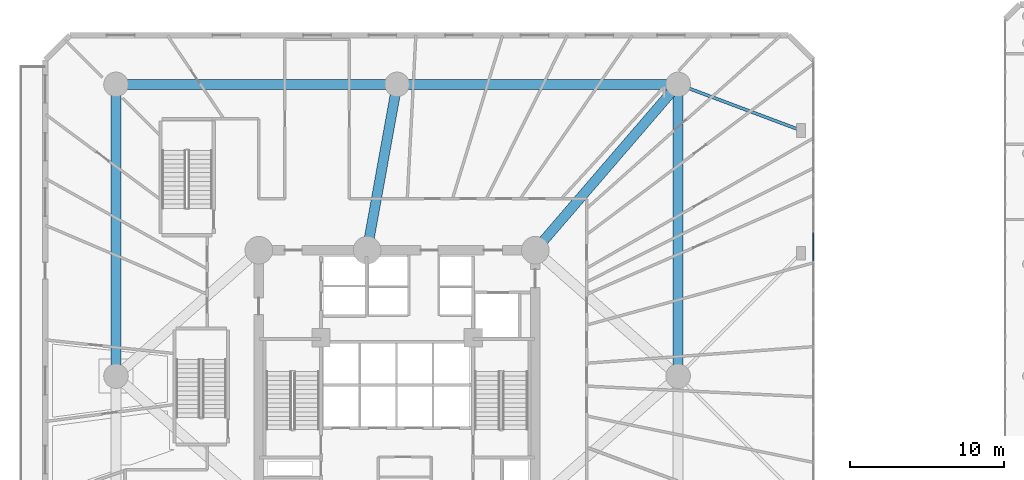
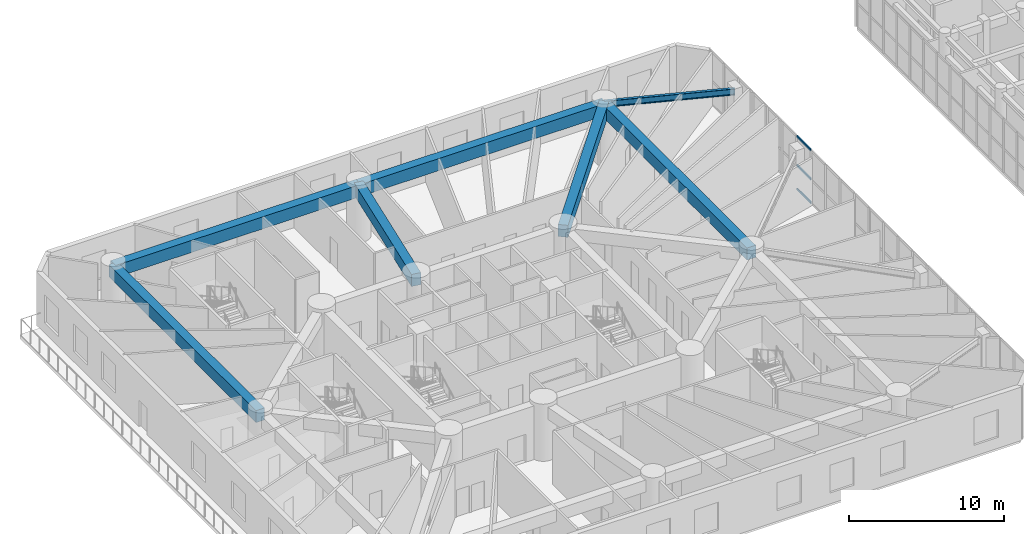
# One storey, part 3 of 24: 7 beams, 3 members, 1 element without a shape of its own.
"""IFC4 building model written with IfcOpenShell, lengths in metres."""

import ifcopenshell
import ifcopenshell.guid

model = None  # the IFC model being written
_history = None  # IfcOwnerHistory: only IFC2X3 demands one
_inside = {}  # id of a spatial element -> (the spatial element, [elements in it])
_under = {}  # id of a project, library or spatial element -> (it, [spatial elements below it])
_declared = {}  # id of a project -> (the project, [libraries it declares])
_typed = {}  # id of a type object -> (the type object, [elements of that type])
_made_of = {}  # id of a material, layer set ... -> (it, [elements and type objects made of it])


def new_model(schema):
    """Start an empty IFC model of exactly this schema.

    Asked for "IFC4X3", IfcOpenShell would pick the latest addendum, in which some entities
    have other attributes; the version numbers below select the first issue.
    IFC2X3 requires an IfcOwnerHistory on every rooted entity: one is made here for all.
    """
    global model, _history
    if schema == "IFC4X3":
        model = ifcopenshell.file(schema_version=(4, 3, 0, 0))
    else:
        model = ifcopenshell.file(schema=schema)
    _inside.clear()
    _under.clear()
    _declared.clear()
    _typed.clear()
    _made_of.clear()
    _history = None
    if model.schema == "IFC2X3":
        org = make("IfcOrganization", Name="unknown")
        user = make(
            "IfcPersonAndOrganization",
            ThePerson=make("IfcPerson", FamilyName="unknown"),
            TheOrganization=org,
        )
        app = make(
            "IfcApplication",
            ApplicationDeveloper=org,
            Version="unknown",
            ApplicationFullName="unknown",
            ApplicationIdentifier="unknown",
        )
        _history = make(
            "IfcOwnerHistory",
            OwningUser=user,
            OwningApplication=app,
            ChangeAction="ADDED",
            CreationDate=0,
        )
    return model


def make(cls, **values):
    """One entity of the class cls with the attributes given. An attribute that is None is left unset."""
    return model.create_entity(
        cls, **{name: value for name, value in values.items() if value is not None}
    )


def rooted(cls, **values):
    """An entity with a GlobalId (a new one), such as an element, a storey or a relation."""
    return make(cls, GlobalId=ifcopenshell.guid.new(), OwnerHistory=_history, **values)


def si_unit(unit_type, name, prefix=None):
    """IfcSIUnit, for example si_unit("LENGTHUNIT", "METRE", prefix="MILLI")."""
    return make("IfcSIUnit", UnitType=unit_type, Prefix=prefix, Name=name)


def assignment(units):
    """IfcUnitAssignment: the units of a project."""
    return None if units is None else make("IfcUnitAssignment", Units=units)


def point(xyz):
    """IfcCartesianPoint."""
    return None if xyz is None else make("IfcCartesianPoint", Coordinates=xyz)


def direction(xyz):
    """IfcDirection."""
    return None if xyz is None else make("IfcDirection", DirectionRatios=xyz)


def frame(location, z_axis=None, x_axis=None):
    """IfcAxis2Placement3D, a coordinate frame: its origin and axes. An axis left out is left unset."""
    return make(
        "IfcAxis2Placement3D",
        Location=point(location),
        Axis=direction(z_axis),
        RefDirection=direction(x_axis),
    )


def frame_2d(location, x_axis=None):
    """IfcAxis2Placement2D, a coordinate frame in the plane: its origin and x axis."""
    return make(
        "IfcAxis2Placement2D", Location=point(location), RefDirection=direction(x_axis)
    )


def origin():
    """The frame at (0, 0, 0) with its axes left unset."""
    return frame((0.0, 0.0, 0.0))


def origin_with_axes():
    """The frame at (0, 0, 0) with the z axis (0, 0, 1) and the x axis (1, 0, 0) written out."""
    return frame((0.0, 0.0, 0.0), z_axis=(0.0, 0.0, 1.0), x_axis=(1.0, 0.0, 0.0))


def origin_2d():
    """The frame at (0, 0) in the plane with its x axis left unset."""
    return frame_2d((0.0, 0.0))


def place(relative_to, where):
    """IfcLocalPlacement: puts the frame where relative to a parent placement (None: the world)."""
    return make(
        "IfcLocalPlacement", PlacementRelTo=relative_to, RelativePlacement=where
    )


def context(
    kind, dimensions, precision=None, world=None, true_north=None, identifier=None
):
    """IfcGeometricRepresentationContext, for example the 3D "Model" context."""
    return make(
        "IfcGeometricRepresentationContext",
        ContextIdentifier=identifier,
        ContextType=kind,
        CoordinateSpaceDimension=dimensions,
        Precision=precision,
        WorldCoordinateSystem=world,
        TrueNorth=true_north,
    )


def subcontext(parent, identifier, kind, view, scale=None):
    """IfcGeometricRepresentationSubContext, for example "Body" below "Model"."""
    return make(
        "IfcGeometricRepresentationSubContext",
        ContextIdentifier=identifier,
        ContextType=kind,
        ParentContext=parent,
        TargetScale=scale,
        TargetView=view,
    )


def project(units=None, contexts=None):
    """IfcProject with its units and contexts."""
    return rooted(
        "IfcProject",
        Name="project",
        RepresentationContexts=contexts,
        UnitsInContext=assignment(units),
    )


def spatial(cls, under=None, at=None, **own):
    """A site, building, storey or space (cls), placed at a placement, below another one or the project."""
    s = rooted(cls, ObjectPlacement=at, **own)
    if under is not None:
        _under.setdefault(under.id(), (under, []))[1].append(s)
    return s


def profile(cls, at=None, kind="AREA", **sizes):
    """A parametric profile (cls). Its sizes go by their IFC names, for example OverallWidth=200.0."""
    return make(cls, ProfileType=kind, Position=at, **sizes)


def rectangle(**sizes):
    """IfcRectangleProfileDef."""
    return profile("IfcRectangleProfileDef", **sizes)


def i_section(**sizes):
    """IfcIShapeProfileDef."""
    return profile("IfcIShapeProfileDef", **sizes)


def extrude(swept, where, along, depth):
    """IfcExtrudedAreaSolid: the profile swept, set in the frame where, extruded along a direction by depth."""
    return make(
        "IfcExtrudedAreaSolid",
        SweptArea=swept,
        Position=where,
        ExtrudedDirection=direction(along),
        Depth=depth,
    )


def shape(context_of_items, identifier, shape_type, items):
    """IfcShapeRepresentation: the items that make up one representation, for example the "Body"."""
    return make(
        "IfcShapeRepresentation",
        ContextOfItems=context_of_items,
        RepresentationIdentifier=identifier,
        RepresentationType=shape_type,
        Items=items,
    )


def source(mapping_origin, context_of_items, identifier, shape_type, items):
    """IfcRepresentationMap: a shape defined once, which mapped items show again and again."""
    return make(
        "IfcRepresentationMap",
        MappingOrigin=mapping_origin,
        MappedRepresentation=shape(context_of_items, identifier, shape_type, items),
    )


def transform(
    local_origin,
    x_axis=None,
    y_axis=None,
    z_axis=None,
    scale=None,
    scale2=None,
    scale3=None,
    uniform=True,
):
    """IfcCartesianTransformationOperator3D, or its non-uniform kind. x_axis, y_axis, z_axis: its Axis1, 2, 3."""
    if uniform:
        return make(
            "IfcCartesianTransformationOperator3D",
            Axis1=direction(x_axis),
            Axis2=direction(y_axis),
            LocalOrigin=point(local_origin),
            Scale=scale,
            Axis3=direction(z_axis),
        )
    return make(
        "IfcCartesianTransformationOperator3DnonUniform",
        Axis1=direction(x_axis),
        Axis2=direction(y_axis),
        LocalOrigin=point(local_origin),
        Scale=scale,
        Axis3=direction(z_axis),
        Scale2=scale2,
        Scale3=scale3,
    )


def mapped(mapping_source, mapping_target):
    """IfcMappedItem: shows the shape of a source again, moved by a transform."""
    return make(
        "IfcMappedItem", MappingSource=mapping_source, MappingTarget=mapping_target
    )


def material(Name=None, Category=None):
    """IfcMaterial."""
    return make("IfcMaterial", Name=Name, Category=Category)


def layer(
    of_material, thickness, ventilated=None, Name=None, Category=None, Priority=None
):
    """IfcMaterialLayer: one layer of a wall or slab, of a material (None: an air gap)."""
    return make(
        "IfcMaterialLayer",
        Material=of_material,
        LayerThickness=thickness,
        IsVentilated=ventilated,
        Name=Name,
        Category=Category,
        Priority=Priority,
    )


def layer_set(layers, Name=None):
    """IfcMaterialLayerSet."""
    return make("IfcMaterialLayerSet", MaterialLayers=layers, LayerSetName=Name)


def material_profile(
    of_material, cross_section, Name=None, Category=None, Priority=None
):
    """IfcMaterialProfile: a cross section and its material."""
    return make(
        "IfcMaterialProfile",
        Name=Name,
        Material=of_material,
        Profile=cross_section,
        Priority=Priority,
        Category=Category,
    )


def profile_set(profiles, Name=None, composite=None):
    """IfcMaterialProfileSet."""
    return make(
        "IfcMaterialProfileSet",
        Name=Name,
        MaterialProfiles=profiles,
        CompositeProfile=composite,
    )


def made_of(thing, what):
    """Note that an element or type object is made of a material, layer set ...; save() writes the relation."""
    if what is not None:
        _made_of.setdefault(what.id(), (what, []))[1].append(thing)
    return thing


def type_object(cls, material=None, **own):
    """A type object (cls), such as IfcWallType, which elements share."""
    return made_of(rooted(cls, **own), material)


def element(
    cls,
    number,
    at=None,
    inside=None,
    cuts=None,
    type_object=None,
    material=None,
    context=None,
    identifier="Body",
    shape_type=None,
    held_by="IfcProductDefinitionShape",
    body=None,
    shapes=None,
    **own,
):
    """One element of the class cls, such as IfcWall. Its Tag is "e" and its number.

    at: its placement. inside: the storey or other place that contains it. cuts: it is an
    opening in that element (IfcRelVoidsElement). A single representation is given by context,
    identifier, shape_type and body (its items); several are given by shapes. held_by: the class
    of the entity that holds the representations. save() writes the other relations.
    """
    e = rooted(cls, Tag="e%d" % number, ObjectPlacement=at, **own)
    if body is not None:
        shapes = [shape(context, identifier, shape_type, body)]
    if shapes is not None:
        e.Representation = make(held_by, Representations=shapes)
    if inside is not None:
        _inside.setdefault(inside.id(), (inside, []))[1].append(e)
    if cuts is not None:
        rooted(
            "IfcRelVoidsElement", RelatingBuildingElement=cuts, RelatedOpeningElement=e
        )
    if type_object is not None:
        _typed.setdefault(type_object.id(), (type_object, []))[1].append(e)
    return made_of(e, material)


def aggregate(whole, parts):
    """IfcRelAggregates: a whole, such as a stair, and the parts it consists of."""
    return rooted("IfcRelAggregates", RelatingObject=whole, RelatedObjects=parts)


def save(model, path):
    """Write the relations noted so far, then the file.

    IfcRelAggregates (storeys below a building ...), IfcRelContainedInSpatialStructure (elements
    in a storey), IfcRelDefinesByType, IfcRelAssociatesMaterial and IfcRelDeclares: one each for
    every whole, place, type object, material and project.
    """
    for whole, parts in _under.values():
        aggregate(whole, parts)
    for where, things in _inside.values():
        rooted(
            "IfcRelContainedInSpatialStructure",
            RelatedElements=things,
            RelatingStructure=where,
        )
    for kind, things in _typed.values():
        rooted("IfcRelDefinesByType", RelatedObjects=things, RelatingType=kind)
    for what, things in _made_of.values():
        rooted("IfcRelAssociatesMaterial", RelatedObjects=things, RelatingMaterial=what)
    for by, libraries in _declared.values():
        rooted("IfcRelDeclares", RelatingContext=by, RelatedDefinitions=libraries)
    model.write(path)


model = new_model("IFC4")

# Units and contexts
model_context = context("Model", 3, precision=1e-05, world=origin(), true_north=direction((0.0, 1.0)))
body_context = subcontext(model_context, "Body", "Model", "MODEL_VIEW")
ifc_project = project(units=[si_unit("LENGTHUNIT", "METRE"), si_unit("AREAUNIT", "SQUARE_METRE"), si_unit("VOLUMEUNIT", "CUBIC_METRE"), si_unit("PLANEANGLEUNIT", "RADIAN"), si_unit("MASSUNIT", "GRAM", prefix="KILO")], contexts=[model_context])

# Site, building, storey
site_placement = place(None, origin())
site = spatial("IfcSite", under=ifc_project, at=site_placement, CompositionType="ELEMENT")
building_placement = place(site_placement, origin())
building = spatial("IfcBuilding", under=site, at=building_placement, Name="Karkom Vertical University and Central Library", CompositionType="ELEMENT")
storey_placement = place(building_placement, frame((0.0, 0.0, 13.5)))
storey = spatial("IfcBuildingStorey", under=building, at=storey_placement, Name="L03", CompositionType="ELEMENT", Elevation=13.5)

# Beams
ifc_material_1 = material(Name="Concrete C50/60", Category="concrete")
ifc_material_profile_1 = material_profile(ifc_material_1, rectangle(XDim=0.64990234375, YDim=0.949951171875, at=origin_2d()), Name="RCG-650x950")
ifc_profile_set_1 = profile_set([ifc_material_profile_1], Name="Concrete C50/60")
beam_type_1 = type_object("IfcBeamType", Name="STR-BM-BG-1", PredefinedType="USERDEFINED", material=ifc_profile_set_1)
shared_shape_1 = source(origin_with_axes(), body_context, "Body", "SweptSolid", [
    extrude(rectangle(XDim=0.64990234375, YDim=0.949951171875, at=origin_2d()), origin(), (0.0, 0.0, 1.0), 18.300048828125),
])
for number, where, z_axis, x_axis, name in (
    (1, (10.199951171875, 45.5, 3.75), (1.0, 0.0, 0.0), (0.0, 1.0, 0.0), "Level 03 Podium Primary Girder 07"),
    (2, (28.5, 45.5, 3.75), (1.0, 0.0, 0.0), (0.0, 1.0, 0.0), "Level 03 Podium Primary Girder 08"),
):
    element("IfcBeam", number, at=place(storey_placement, frame(where, z_axis=z_axis, x_axis=x_axis)), inside=storey, type_object=beam_type_1, Name=name, ObjectType="GIRDER", PredefinedType="USERDEFINED", context=body_context, shape_type="MappedRepresentation", body=[
        mapped(shared_shape_1, transform((0.0, 0.0, 0.0), scale=1.0)),
    ])
shared_shape_2 = source(origin_with_axes(), body_context, "Body", "SweptSolid", [
    extrude(rectangle(XDim=0.64990234375, YDim=0.949951171875, at=origin_2d()), origin(), (0.0, 0.0, 1.0), 19.0),
])
for number, where, z_axis, x_axis, name in (
    (3, (10.199951171875, 26.5, 3.75), (0.0, 1.0, 0.0), (-1.0, 0.0, 0.0), "Level 03 Podium Primary Girder 04"),
    (4, (46.800048828125, 26.5, 3.75), (0.0, 1.0, 0.0), (-1.0, 0.0, 0.0), "Level 03 Podium Primary Girder 06"),
):
    element("IfcBeam", number, at=place(storey_placement, frame(where, z_axis=z_axis, x_axis=x_axis)), inside=storey, type_object=beam_type_1, Name=name, ObjectType="GIRDER", PredefinedType="USERDEFINED", context=body_context, shape_type="MappedRepresentation", body=[
        mapped(shared_shape_2, transform((0.0, 0.0, 0.0), scale=1.0)),
    ])
shared_shape_3 = source(origin_with_axes(), body_context, "Body", "SweptSolid", [
    extrude(rectangle(XDim=0.64990234375, YDim=0.949951171875, at=origin_2d()), origin(), (0.0, 0.0, 1.0), 14.25244140625),
])
beam_1_placement = place(storey_placement, frame((46.800048828125, 45.5, 3.75), z_axis=(-0.652523408586, -0.757768567076, 0.0), x_axis=(0.757768567076, -0.652523408586, 0.0)))
element("IfcBeam", 5, at=beam_1_placement, inside=storey, type_object=beam_type_1, Name="Level 03 Podium Primary Girder 14", ObjectType="GIRDER", PredefinedType="USERDEFINED", context=body_context, shape_type="MappedRepresentation", body=[
    mapped(shared_shape_3, transform((0.0, 0.0, 0.0), scale=1.0)),
])
shared_shape_4 = source(origin_with_axes(), body_context, "Body", "SweptSolid", [
    extrude(rectangle(XDim=0.64990234375, YDim=0.949951171875, at=origin_2d()), origin(), (0.0, 0.0, 1.0), 10.974609375),
])
beam_2_placement = place(storey_placement, frame((28.5, 45.5, 3.75), z_axis=(-0.177677443813, -0.984088779511, 0.0), x_axis=(0.984088779511, -0.177677443813, 0.0)))
element("IfcBeam", 6, at=beam_2_placement, inside=storey, type_object=beam_type_1, Name="Level 03 Podium Primary Girder 13", ObjectType="GIRDER", PredefinedType="USERDEFINED", context=body_context, shape_type="MappedRepresentation", body=[
    mapped(shared_shape_4, transform((0.0, 0.0, 0.0), scale=1.0)),
])
ifc_material_2 = material(Name="Steel S355", Category="steel")
ifc_material_profile_2 = material_profile(ifc_material_2, i_section(OverallWidth=0.199951171875, OverallDepth=0.5, WebThickness=0.01025390625, FlangeThickness=0.01611328125, FilletRadius=0.02099609375, at=origin_2d()), Name="IPE 500")
ifc_profile_set_2 = profile_set([ifc_material_profile_2], Name="Steel S355")
beam_type_2 = type_object("IfcBeamType", Name="STR-BM-SB-IPE500", PredefinedType="BEAM", material=ifc_profile_set_2)
shared_shape_5 = source(origin_with_axes(), body_context, "Body", "SweptSolid", [
    extrude(i_section(OverallWidth=0.199951171875, OverallDepth=0.5, WebThickness=0.01025390625, FlangeThickness=0.01611328125, FilletRadius=0.02099609375, at=origin_2d()), origin(), (0.0, 0.0, 1.0), 8.5439453125),
])
beam_3_placement = place(storey_placement, frame((46.800048828125, 45.5, 3.97509765625), z_axis=(0.936329177569, -0.351123441588, 0.0), x_axis=(0.351123441588, 0.936329177569, 0.0)))
element("IfcBeam", 7, at=beam_3_placement, inside=storey, type_object=beam_type_2, Name="Level 03 Arcade Tie Beam 4", PredefinedType="BEAM", context=body_context, shape_type="MappedRepresentation", body=[
    mapped(shared_shape_5, transform((0.0, 0.0, 0.0), scale=1.0)),
])

# Curtain wall, members
ifc_material_3 = material(Name="Aluminium curtain-wall framing and low-E IGU", Category="aluminium")
ifc_layer = layer(ifc_material_3, 0.199951171875)
ifc_layer_set = layer_set([ifc_layer], Name="Aluminium curtain-wall framing and low-E IGU")
curtain_wall_type = type_object("IfcCurtainWallType", Name="ENV-CW-3", PredefinedType="USERDEFINED", material=ifc_layer_set)
curtain_wall_placement = place(storey_placement, origin())
curtain_wall = element("IfcCurtainWall", 8, at=curtain_wall_placement, inside=storey, type_object=curtain_wall_type, Name="Level 03 CW-3 Curtain Wall Level 03-CW3-3-2", ObjectType="STICK MULLION GLAZING", PredefinedType="USERDEFINED")
ifc_material_4 = material(Name="Anodised Aluminium 6063-T6", Category="aluminium")
ifc_material_profile_3 = material_profile(ifc_material_4, rectangle(XDim=0.074951171875, YDim=0.1650390625, at=origin_2d()), Name="ALU-T75x165")
ifc_profile_set_3 = profile_set([ifc_material_profile_3], Name="Anodised Aluminium 6063-T6")
member_type = type_object("IfcMemberType", Name="ENV-MEM-ALU-T75x165", PredefinedType="USERDEFINED", material=ifc_profile_set_3)
shared_shape_6 = source(origin_with_axes(), body_context, "Body", "SweptSolid", [
    extrude(rectangle(XDim=0.074951171875, YDim=0.1650390625, at=origin_2d()), origin(), (0.0, 0.0, 1.0), 1.7978515625),
])
member_1_placement = place(storey_placement, frame((55.60009765625, 34.0283203125, 0.03759765625), z_axis=(0.0, 1.0, 0.0), x_axis=(-1.0, 0.0, 0.0)))
member_1 = element("IfcMember", 9, at=member_1_placement, type_object=member_type, Name="CW-3 transom 5.1", ObjectType="TRANSOM", PredefinedType="USERDEFINED", context=body_context, shape_type="MappedRepresentation", body=[
    mapped(shared_shape_6, transform((0.0, 0.0, 0.0), scale=1.0)),
])
member_2_placement = place(storey_placement, frame((55.60009765625, 34.0283203125, 1.901123046875), z_axis=(0.0, 1.0, 0.0), x_axis=(-1.0, 0.0, 0.0)))
member_2 = element("IfcMember", 10, at=member_2_placement, type_object=member_type, Name="CW-3 transom 5.2", ObjectType="TRANSOM", PredefinedType="USERDEFINED", context=body_context, shape_type="MappedRepresentation", body=[
    mapped(shared_shape_6, transform((0.0, 0.0, 0.0), scale=1.0)),
])
member_3_placement = place(storey_placement, frame((55.60009765625, 34.0283203125, 4.1875), z_axis=(0.0, 1.0, 0.0), x_axis=(-1.0, 0.0, 0.0)))
member_3 = element("IfcMember", 11, at=member_3_placement, type_object=member_type, Name="CW-3 transom 5.3", ObjectType="TRANSOM", PredefinedType="USERDEFINED", context=body_context, shape_type="MappedRepresentation", body=[
    mapped(shared_shape_6, transform((0.0, 0.0, 0.0), scale=1.0)),
])
aggregate(curtain_wall, [member_1, member_2, member_3])

save(model, "model.ifc")
